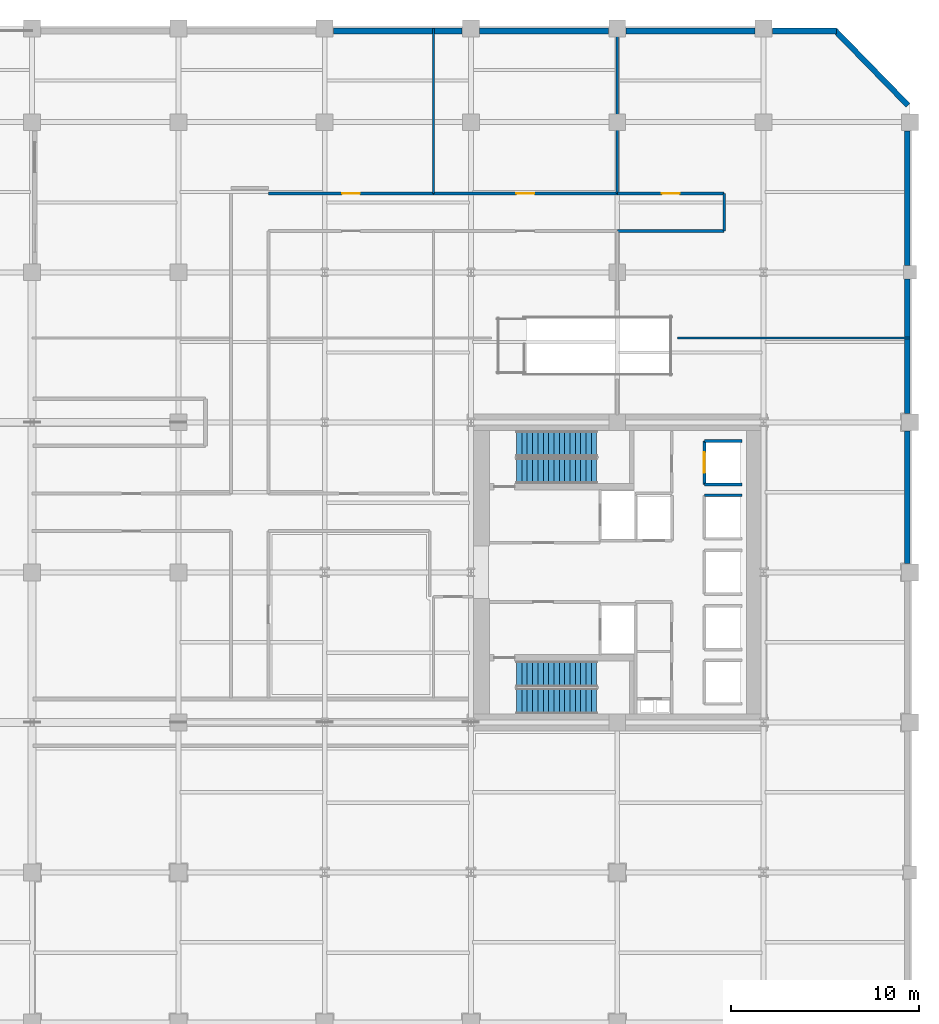
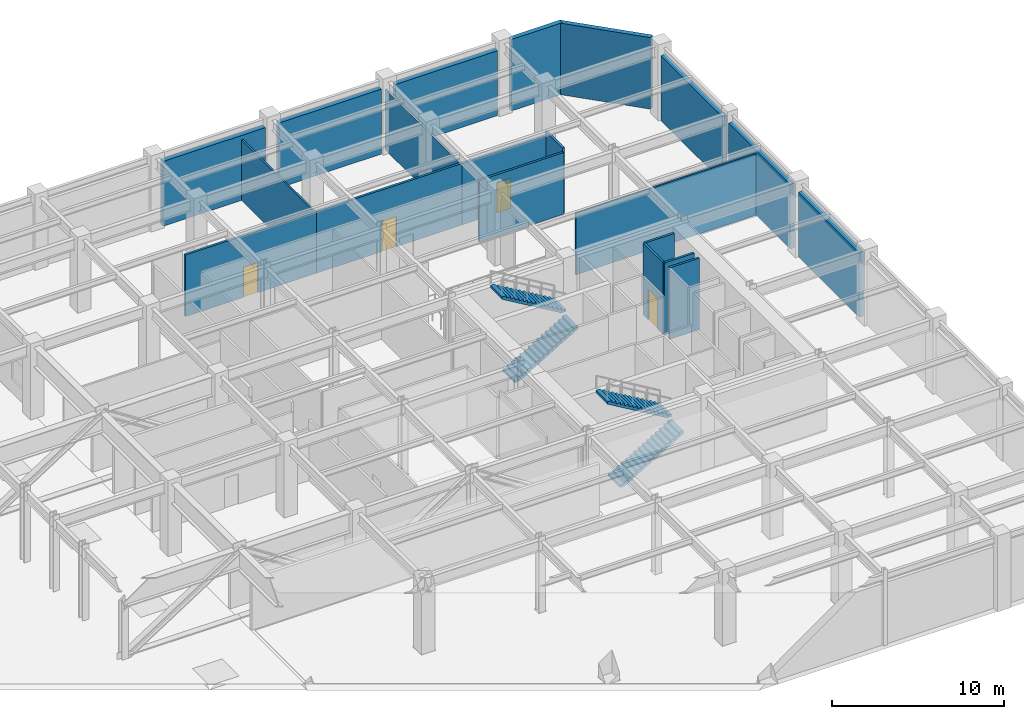
# One storey, part 10 of 14: 20 walls, 4 doors, 4 stair flights, 4 openings, 2 elements without a shape of their own.
"""IFC4 building model written with IfcOpenShell, lengths in metres."""

import ifcopenshell
import ifcopenshell.guid

model = None  # the IFC model being written
_history = None  # IfcOwnerHistory: only IFC2X3 demands one
_inside = {}  # id of a spatial element -> (the spatial element, [elements in it])
_under = {}  # id of a project, library or spatial element -> (it, [spatial elements below it])
_declared = {}  # id of a project -> (the project, [libraries it declares])
_typed = {}  # id of a type object -> (the type object, [elements of that type])
_made_of = {}  # id of a material, layer set ... -> (it, [elements and type objects made of it])


def new_model(schema):
    """Start an empty IFC model of exactly this schema.

    Asked for "IFC4X3", IfcOpenShell would pick the latest addendum, in which some entities
    have other attributes; the version numbers below select the first issue.
    IFC2X3 requires an IfcOwnerHistory on every rooted entity: one is made here for all.
    """
    global model, _history
    if schema == "IFC4X3":
        model = ifcopenshell.file(schema_version=(4, 3, 0, 0))
    else:
        model = ifcopenshell.file(schema=schema)
    _inside.clear()
    _under.clear()
    _declared.clear()
    _typed.clear()
    _made_of.clear()
    _history = None
    if model.schema == "IFC2X3":
        org = make("IfcOrganization", Name="unknown")
        user = make(
            "IfcPersonAndOrganization",
            ThePerson=make("IfcPerson", FamilyName="unknown"),
            TheOrganization=org,
        )
        app = make(
            "IfcApplication",
            ApplicationDeveloper=org,
            Version="unknown",
            ApplicationFullName="unknown",
            ApplicationIdentifier="unknown",
        )
        _history = make(
            "IfcOwnerHistory",
            OwningUser=user,
            OwningApplication=app,
            ChangeAction="ADDED",
            CreationDate=0,
        )
    return model


def make(cls, **values):
    """One entity of the class cls with the attributes given. An attribute that is None is left unset."""
    return model.create_entity(
        cls, **{name: value for name, value in values.items() if value is not None}
    )


def rooted(cls, **values):
    """An entity with a GlobalId (a new one), such as an element, a storey or a relation."""
    return make(cls, GlobalId=ifcopenshell.guid.new(), OwnerHistory=_history, **values)


def si_unit(unit_type, name, prefix=None):
    """IfcSIUnit, for example si_unit("LENGTHUNIT", "METRE", prefix="MILLI")."""
    return make("IfcSIUnit", UnitType=unit_type, Prefix=prefix, Name=name)


def assignment(units):
    """IfcUnitAssignment: the units of a project."""
    return None if units is None else make("IfcUnitAssignment", Units=units)


def point(xyz):
    """IfcCartesianPoint."""
    return None if xyz is None else make("IfcCartesianPoint", Coordinates=xyz)


def direction(xyz):
    """IfcDirection."""
    return None if xyz is None else make("IfcDirection", DirectionRatios=xyz)


def frame(location, z_axis=None, x_axis=None):
    """IfcAxis2Placement3D, a coordinate frame: its origin and axes. An axis left out is left unset."""
    return make(
        "IfcAxis2Placement3D",
        Location=point(location),
        Axis=direction(z_axis),
        RefDirection=direction(x_axis),
    )


def frame_2d(location, x_axis=None):
    """IfcAxis2Placement2D, a coordinate frame in the plane: its origin and x axis."""
    return make(
        "IfcAxis2Placement2D", Location=point(location), RefDirection=direction(x_axis)
    )


def origin():
    """The frame at (0, 0, 0) with its axes left unset."""
    return frame((0.0, 0.0, 0.0))


def place(relative_to, where):
    """IfcLocalPlacement: puts the frame where relative to a parent placement (None: the world)."""
    return make(
        "IfcLocalPlacement", PlacementRelTo=relative_to, RelativePlacement=where
    )


def context(
    kind, dimensions, precision=None, world=None, true_north=None, identifier=None
):
    """IfcGeometricRepresentationContext, for example the 3D "Model" context."""
    return make(
        "IfcGeometricRepresentationContext",
        ContextIdentifier=identifier,
        ContextType=kind,
        CoordinateSpaceDimension=dimensions,
        Precision=precision,
        WorldCoordinateSystem=world,
        TrueNorth=true_north,
    )


def subcontext(parent, identifier, kind, view, scale=None):
    """IfcGeometricRepresentationSubContext, for example "Body" below "Model"."""
    return make(
        "IfcGeometricRepresentationSubContext",
        ContextIdentifier=identifier,
        ContextType=kind,
        ParentContext=parent,
        TargetScale=scale,
        TargetView=view,
    )


def project(units=None, contexts=None):
    """IfcProject with its units and contexts."""
    return rooted(
        "IfcProject",
        Name="project",
        RepresentationContexts=contexts,
        UnitsInContext=assignment(units),
    )


def spatial(cls, under=None, at=None, **own):
    """A site, building, storey or space (cls), placed at a placement, below another one or the project."""
    s = rooted(cls, ObjectPlacement=at, **own)
    if under is not None:
        _under.setdefault(under.id(), (under, []))[1].append(s)
    return s


def polyline(points):
    """IfcPolyline through the points."""
    return make("IfcPolyline", Points=[point(p) for p in points])


def profile(cls, at=None, kind="AREA", **sizes):
    """A parametric profile (cls). Its sizes go by their IFC names, for example OverallWidth=200.0."""
    return make(cls, ProfileType=kind, Position=at, **sizes)


def rectangle(**sizes):
    """IfcRectangleProfileDef."""
    return profile("IfcRectangleProfileDef", **sizes)


def outline(outer, holes=None, kind="AREA"):
    """IfcArbitraryClosedProfileDef: a profile drawn as a closed curve; with holes, ...WithVoids."""
    if holes is None:
        return make("IfcArbitraryClosedProfileDef", ProfileType=kind, OuterCurve=outer)
    return make(
        "IfcArbitraryProfileDefWithVoids",
        ProfileType=kind,
        OuterCurve=outer,
        InnerCurves=holes,
    )


def extrude(swept, where, along, depth):
    """IfcExtrudedAreaSolid: the profile swept, set in the frame where, extruded along a direction by depth."""
    return make(
        "IfcExtrudedAreaSolid",
        SweptArea=swept,
        Position=where,
        ExtrudedDirection=direction(along),
        Depth=depth,
    )


def shape(context_of_items, identifier, shape_type, items):
    """IfcShapeRepresentation: the items that make up one representation, for example the "Body"."""
    return make(
        "IfcShapeRepresentation",
        ContextOfItems=context_of_items,
        RepresentationIdentifier=identifier,
        RepresentationType=shape_type,
        Items=items,
    )


def material(Name=None, Category=None):
    """IfcMaterial."""
    return make("IfcMaterial", Name=Name, Category=Category)


def layer(
    of_material, thickness, ventilated=None, Name=None, Category=None, Priority=None
):
    """IfcMaterialLayer: one layer of a wall or slab, of a material (None: an air gap)."""
    return make(
        "IfcMaterialLayer",
        Material=of_material,
        LayerThickness=thickness,
        IsVentilated=ventilated,
        Name=Name,
        Category=Category,
        Priority=Priority,
    )


def layer_set(layers, Name=None):
    """IfcMaterialLayerSet."""
    return make("IfcMaterialLayerSet", MaterialLayers=layers, LayerSetName=Name)


def made_of(thing, what):
    """Note that an element or type object is made of a material, layer set ...; save() writes the relation."""
    if what is not None:
        _made_of.setdefault(what.id(), (what, []))[1].append(thing)
    return thing


def type_object(cls, material=None, **own):
    """A type object (cls), such as IfcWallType, which elements share."""
    return made_of(rooted(cls, **own), material)


def element(
    cls,
    number,
    at=None,
    inside=None,
    cuts=None,
    type_object=None,
    material=None,
    context=None,
    identifier="Body",
    shape_type=None,
    held_by="IfcProductDefinitionShape",
    body=None,
    shapes=None,
    **own,
):
    """One element of the class cls, such as IfcWall. Its Tag is "e" and its number.

    at: its placement. inside: the storey or other place that contains it. cuts: it is an
    opening in that element (IfcRelVoidsElement). A single representation is given by context,
    identifier, shape_type and body (its items); several are given by shapes. held_by: the class
    of the entity that holds the representations. save() writes the other relations.
    """
    e = rooted(cls, Tag="e%d" % number, ObjectPlacement=at, **own)
    if body is not None:
        shapes = [shape(context, identifier, shape_type, body)]
    if shapes is not None:
        e.Representation = make(held_by, Representations=shapes)
    if inside is not None:
        _inside.setdefault(inside.id(), (inside, []))[1].append(e)
    if cuts is not None:
        rooted(
            "IfcRelVoidsElement", RelatingBuildingElement=cuts, RelatedOpeningElement=e
        )
    if type_object is not None:
        _typed.setdefault(type_object.id(), (type_object, []))[1].append(e)
    return made_of(e, material)


def fill(opening, filler):
    """IfcRelFillsElement: the door or window that sits in an opening."""
    return rooted(
        "IfcRelFillsElement",
        RelatingOpeningElement=opening,
        RelatedBuildingElement=filler,
    )


def aggregate(whole, parts):
    """IfcRelAggregates: a whole, such as a stair, and the parts it consists of."""
    return rooted("IfcRelAggregates", RelatingObject=whole, RelatedObjects=parts)


def save(model, path):
    """Write the relations noted so far, then the file.

    IfcRelAggregates (storeys below a building ...), IfcRelContainedInSpatialStructure (elements
    in a storey), IfcRelDefinesByType, IfcRelAssociatesMaterial and IfcRelDeclares: one each for
    every whole, place, type object, material and project.
    """
    for whole, parts in _under.values():
        aggregate(whole, parts)
    for where, things in _inside.values():
        rooted(
            "IfcRelContainedInSpatialStructure",
            RelatedElements=things,
            RelatingStructure=where,
        )
    for kind, things in _typed.values():
        rooted("IfcRelDefinesByType", RelatedObjects=things, RelatingType=kind)
    for what, things in _made_of.values():
        rooted("IfcRelAssociatesMaterial", RelatedObjects=things, RelatingMaterial=what)
    for by, libraries in _declared.values():
        rooted("IfcRelDeclares", RelatingContext=by, RelatedDefinitions=libraries)
    model.write(path)


model = new_model("IFC4")

# Units and contexts
model_context = context("Model", 3, precision=1e-05, world=origin(), true_north=direction((0.0, 1.0)))
body_context = subcontext(model_context, "Body", "Model", "MODEL_VIEW")
ifc_project = project(units=[si_unit("LENGTHUNIT", "METRE"), si_unit("AREAUNIT", "SQUARE_METRE"), si_unit("VOLUMEUNIT", "CUBIC_METRE"), si_unit("PLANEANGLEUNIT", "RADIAN"), si_unit("MASSUNIT", "GRAM", prefix="KILO")], contexts=[model_context])

# Site, building, storey
site_placement = place(None, origin())
site = spatial("IfcSite", under=ifc_project, at=site_placement, CompositionType="ELEMENT")
building_placement = place(site_placement, origin())
building = spatial("IfcBuilding", under=site, at=building_placement, Name="Veymaron Broadcast Tower", CompositionType="ELEMENT")
storey_placement = place(building_placement, frame((0.0, 0.0, 27.0)))
storey = spatial("IfcBuildingStorey", under=building, at=storey_placement, Name="L05", CompositionType="ELEMENT", Elevation=27.0)

# Walls
ifc_material_1 = material(Name="Precast concrete C40/50 with mineral-wool insulation", Category="concrete")
ifc_layer_1 = layer(ifc_material_1, 0.300048828125)
ifc_layer_set_1 = layer_set([ifc_layer_1], Name="Precast concrete C40/50 with mineral-wool insulation")
wall_type_1 = type_object("IfcWallType", Name="WALL-EXT-300", PredefinedType="STANDARD", material=ifc_layer_set_1)
wall_1_placement = place(storey_placement, frame((62.260009765625, 24.468017578125, 0.0), z_axis=(0.0, 0.0, 1.0), x_axis=(0.0, 1.0, 0.0)))
element("IfcWall", 1, at=wall_1_placement, inside=storey, type_object=wall_type_1, Name="L05 notched corner facade pier 3-5", PredefinedType="STANDARD", context=body_context, shape_type="SweptSolid", body=[
    extrude(rectangle(XDim=7.06396484375, YDim=0.300048828125, at=frame_2d((3.531982421875, 0.0))), origin(), (0.0, 0.0, 1.0), 4.60791015625),
])
for number, where, z_axis, x_axis, name in (
    (2, (62.260009765625, 32.468017578125, 0.0), (0.0, 0.0, 1.0), (0.0, 1.0, 0.0), "L05 notched corner facade pier 3-6"),
    (3, (62.260009765625, 40.367919921875, 0.0), (0.0, 0.0, 1.0), (0.0, 1.0, 0.0), "L05 notched corner facade pier 3-7"),
):
    element("IfcWall", number, at=place(storey_placement, frame(where, z_axis=z_axis, x_axis=x_axis)), inside=storey, type_object=wall_type_1, Name=name, PredefinedType="STANDARD", context=body_context, shape_type="SweptSolid", body=[
        extrude(rectangle(XDim=7.1640625, YDim=0.300048828125, at=frame_2d((3.58203125, 0.0))), origin(), (0.0, 0.0, 1.0), 4.60791015625),
    ])
wall_2_placement = place(storey_placement, frame((62.2998046875, 48.90234375, 0.0), z_axis=(0.0, 0.0, 1.0), x_axis=(-0.698091174493, 0.716008877106, 0.0)))
element("IfcWall", 4, at=wall_2_placement, inside=storey, type_object=wall_type_1, Name="L05 notched corner facade pier 4-1", PredefinedType="STANDARD", context=body_context, shape_type="SweptSolid", body=[
    extrude(rectangle(XDim=5.58642578125, YDim=0.300048828125, at=frame_2d((2.793212890625, 0.0))), origin(), (0.0, 0.0, 1.0), 5.080078125),
])
wall_3_placement = place(storey_placement, frame((58.5, 52.860107421875, 0.0), z_axis=(0.0, 0.0, 1.0), x_axis=(-1.0, 0.0, 0.0)))
element("IfcWall", 5, at=wall_3_placement, inside=storey, type_object=wall_type_1, Name="L05 notched corner facade pier 5-1", PredefinedType="STANDARD", context=body_context, shape_type="SweptSolid", body=[
    extrude(rectangle(XDim=3.431884765625, YDim=0.300048828125, at=frame_2d((1.7158203125, 0.0))), origin(), (0.0, 0.0, 1.0), 5.080078125),
])
for number, where, z_axis, x_axis, name in (
    (6, (54.132080078125, 52.860107421875, 0.0), (0.0, 0.0, 1.0), (-1.0, 0.0, 0.0), "L05 notched corner facade pier 5-2"),
    (7, (46.33203125, 52.860107421875, 0.0), (0.0, 0.0, 1.0), (-1.0, 0.0, 0.0), "L05 notched corner facade pier 5-3"),
    (8, (38.531982421875, 52.860107421875, 0.0), (0.0, 0.0, 1.0), (-1.0, 0.0, 0.0), "L05 notched corner facade pier 5-4"),
):
    element("IfcWall", number, at=place(storey_placement, frame(where, z_axis=z_axis, x_axis=x_axis)), inside=storey, type_object=wall_type_1, Name=name, PredefinedType="STANDARD", context=body_context, shape_type="SweptSolid", body=[
        extrude(rectangle(XDim=6.864013671875, YDim=0.300048828125, at=frame_2d((3.43212890625, 0.0))), origin(), (0.0, 0.0, 1.0), 4.60791015625),
    ])

# Wall, opening, door
ifc_material_2 = material(Name="Gypsum fireboard and steel stud framing", Category="steel")
ifc_layer_2 = layer(ifc_material_2, 0.14990234375)
ifc_layer_set_2 = layer_set([ifc_layer_2], Name="Gypsum fireboard and steel stud framing")
wall_type_2 = type_object("IfcWallType", Name="WALL-FIRE-150", PredefinedType="PARTITIONING", material=ifc_layer_set_2)
wall_4_placement = place(storey_placement, frame((51.445068359375, 28.68994140625, 0.0), z_axis=(0.0, 0.0, 1.0), x_axis=(0.0, 1.0, 0.0)))
wall_4 = element("IfcWall", 9, at=wall_4_placement, inside=storey, type_object=wall_type_2, Name="L05 partition IW-L05-SHW-PL1", PredefinedType="PARTITIONING", context=body_context, shape_type="SweptSolid", body=[
    extrude(rectangle(XDim=2.320068359375, YDim=0.14990234375, at=frame_2d((1.16015625, 0.0))), origin(), (0.0, 0.0, 1.0), 5.080078125),
])
opening_1_placement = place(wall_4_placement, frame((0.610107421875, 0.0, 0.0)))
opening_1 = element("IfcOpeningElement", 10, at=opening_1_placement, cuts=wall_4, Name="Opening LD", PredefinedType="OPENING", context=body_context, shape_type="SweptSolid", body=[
    extrude(rectangle(XDim=1.10009765625, YDim=2.14990234375, at=frame_2d((0.550048828125, 1.074951171875))), frame((0.0, 0.0849609375, 0.0), z_axis=(0.0, -1.0, 0.0), x_axis=(1.0, 0.0, 0.0)), (0.0, 0.0, 1.0), 0.169921875),
])
ifc_material_3 = material(Name="Brushed stainless steel AISI 304", Category="steel")
door_type_1 = type_object("IfcDoorType", Name="DOOR-LIFT-1100", OperationType="DOUBLE_DOOR_SLIDING", PredefinedType="DOOR", material=ifc_material_3)
door_1_placement = place(opening_1_placement, frame((1.10009765625, 0.0, 0.0), z_axis=(0.0, 0.0, 1.0), x_axis=(-1.0, 0.0, 0.0)))
door_1 = element("IfcDoor", 11, at=door_1_placement, inside=storey, type_object=door_type_1, Name="L05 door LD-L05-PL1", OperationType="DOUBLE_DOOR_SLIDING", OverallHeight=2.14990234375, OverallWidth=1.10009765625, PredefinedType="DOOR", context=body_context, shape_type="SweptSolid", body=[
    extrude(rectangle(XDim=1.10009765625, YDim=2.14990234375, at=frame_2d((0.550048828125, 1.074951171875))), frame((0.0, 0.02490234375, 0.0), z_axis=(0.0, -1.0, 0.0), x_axis=(1.0, 0.0, 0.0)), (0.0, 0.0, 1.0), 0.050048828125),
])
fill(opening_1, door_1)

# Walls
for number, where, z_axis, x_axis, name in (
    (12, (51.445068359375, 28.68994140625, 0.0), (0.0, 0.0, 1.0), (1.0, 0.0, 0.0), "L05 partition IW-L05-SHS-PL1"),
    (13, (51.445068359375, 31.010009765625, 0.0), (0.0, 0.0, 1.0), (1.0, 0.0, 0.0), "L05 partition IW-L05-SHN-PL1"),
    (14, (51.445068359375, 28.110107421875, 0.0), (0.0, 0.0, 1.0), (1.0, 0.0, 0.0), "L05 partition IW-L05-SHN-PM1"),
):
    element("IfcWall", number, at=place(storey_placement, frame(where, z_axis=z_axis, x_axis=x_axis)), inside=storey, type_object=wall_type_2, Name=name, PredefinedType="PARTITIONING", context=body_context, shape_type="SweptSolid", body=[
        extrude(rectangle(XDim=2.014892578125, YDim=0.14990234375, at=frame_2d((1.00732421875, 0.0))), origin(), (0.0, 0.0, 1.0), 5.080078125),
    ])

# Wall, opening, door
wall_5_placement = place(storey_placement, frame((46.800048828125, 44.199951171875, 0.0), z_axis=(0.0, 0.0, 1.0), x_axis=(1.0, 0.0, 0.0)))
wall_5 = element("IfcWall", 15, at=wall_5_placement, inside=storey, type_object=wall_type_2, Name="L05 partition IW-L05-P15", PredefinedType="PARTITIONING", context=body_context, shape_type="SweptSolid", body=[
    extrude(rectangle(XDim=5.699951171875, YDim=0.14990234375, at=frame_2d((2.85009765625, 0.0))), origin(), (0.0, 0.0, 1.0), 4.375),
])
opening_2_placement = place(wall_5_placement, frame((2.375, 0.0, 0.0)))
opening_2 = element("IfcOpeningElement", 16, at=opening_2_placement, cuts=wall_5, Name="Opening ID-RM1", PredefinedType="OPENING", context=body_context, shape_type="SweptSolid", body=[
    extrude(rectangle(XDim=0.949951171875, YDim=2.14990234375, at=frame_2d((0.47509765625, 1.074951171875))), frame((0.0, 0.0849609375, 0.0), z_axis=(0.0, -1.0, 0.0), x_axis=(1.0, 0.0, 0.0)), (0.0, 0.0, 1.0), 0.169921875),
])
ifc_material_4 = material(Name="Acoustic solid-core European oak veneer timber", Category="wood")
door_type_2 = type_object("IfcDoorType", Name="DOOR-INT-950", OperationType="NOTDEFINED", PredefinedType="DOOR", material=ifc_material_4)
door_2_placement = place(opening_2_placement, origin())
door_2 = element("IfcDoor", 17, at=door_2_placement, inside=storey, type_object=door_type_2, Name="L05 door DR-L05-P15", OperationType="SINGLE_SWING_RIGHT", OverallHeight=2.14990234375, OverallWidth=0.949951171875, PredefinedType="DOOR", context=body_context, shape_type="SweptSolid", body=[
    extrude(rectangle(XDim=0.949951171875, YDim=2.14990234375, at=frame_2d((0.47509765625, 1.074951171875))), frame((0.0, 0.02490234375, 0.0), z_axis=(0.0, -1.0, 0.0), x_axis=(1.0, 0.0, 0.0)), (0.0, 0.0, 1.0), 0.050048828125),
])
fill(opening_2, door_2)

wall_6_placement = place(storey_placement, frame((28.199951171875, 44.199951171875, 0.0), z_axis=(0.0, 0.0, 1.0), x_axis=(1.0, 0.0, 0.0)))
wall_6 = element("IfcWall", 18, at=wall_6_placement, inside=storey, type_object=wall_type_2, Name="L05 partition IW-L05-P18", PredefinedType="PARTITIONING", context=body_context, shape_type="SweptSolid", body=[
    extrude(rectangle(XDim=8.800048828125, YDim=0.14990234375, at=frame_2d((4.39990234375, 0.0))), origin(), (0.0, 0.0, 1.0), 4.375),
])
opening_3_placement = place(wall_6_placement, frame((3.925048828125, 0.0, 0.0)))
opening_3 = element("IfcOpeningElement", 19, at=opening_3_placement, cuts=wall_6, Name="Opening ID-RM1", PredefinedType="OPENING", context=body_context, shape_type="SweptSolid", body=[
    extrude(rectangle(XDim=0.949951171875, YDim=2.14990234375, at=frame_2d((0.47509765625, 1.074951171875))), frame((0.0, 0.0849609375, 0.0), z_axis=(0.0, -1.0, 0.0), x_axis=(1.0, 0.0, 0.0)), (0.0, 0.0, 1.0), 0.169921875),
])
door_3_placement = place(opening_3_placement, origin())
door_3 = element("IfcDoor", 20, at=door_3_placement, inside=storey, type_object=door_type_2, Name="L05 door DR-L05-P18", OperationType="SINGLE_SWING_LEFT", OverallHeight=2.14990234375, OverallWidth=0.949951171875, PredefinedType="DOOR", context=body_context, shape_type="SweptSolid", body=[
    extrude(rectangle(XDim=0.949951171875, YDim=2.14990234375, at=frame_2d((0.47509765625, 1.074951171875))), frame((0.0, 0.02490234375, 0.0), z_axis=(0.0, -1.0, 0.0), x_axis=(1.0, 0.0, 0.0)), (0.0, 0.0, 1.0), 0.050048828125),
])
fill(opening_3, door_3)

wall_7_placement = place(storey_placement, frame((37.0, 44.199951171875, 0.0), z_axis=(0.0, 0.0, 1.0), x_axis=(1.0, 0.0, 0.0)))
wall_7 = element("IfcWall", 21, at=wall_7_placement, inside=storey, type_object=wall_type_2, Name="L05 partition IW-L05-P21", PredefinedType="PARTITIONING", context=body_context, shape_type="SweptSolid", body=[
    extrude(rectangle(XDim=9.800048828125, YDim=0.14990234375, at=frame_2d((4.89990234375, 0.0))), origin(), (0.0, 0.0, 1.0), 4.375),
])
opening_4_placement = place(wall_7_placement, frame((4.425048828125, 0.0, 0.0)))
opening_4 = element("IfcOpeningElement", 22, at=opening_4_placement, cuts=wall_7, Name="Opening ID-RM1", PredefinedType="OPENING", context=body_context, shape_type="SweptSolid", body=[
    extrude(rectangle(XDim=0.949951171875, YDim=2.14990234375, at=frame_2d((0.47509765625, 1.074951171875))), frame((0.0, 0.0849609375, 0.0), z_axis=(0.0, -1.0, 0.0), x_axis=(1.0, 0.0, 0.0)), (0.0, 0.0, 1.0), 0.169921875),
])
door_4_placement = place(opening_4_placement, origin())
door_4 = element("IfcDoor", 23, at=door_4_placement, inside=storey, type_object=door_type_2, Name="L05 door DR-L05-P21", OperationType="SINGLE_SWING_RIGHT", OverallHeight=2.14990234375, OverallWidth=0.949951171875, PredefinedType="DOOR", context=body_context, shape_type="SweptSolid", body=[
    extrude(rectangle(XDim=0.949951171875, YDim=2.14990234375, at=frame_2d((0.47509765625, 1.074951171875))), frame((0.0, 0.02490234375, 0.0), z_axis=(0.0, -1.0, 0.0), x_axis=(1.0, 0.0, 0.0)), (0.0, 0.0, 1.0), 0.050048828125),
])
fill(opening_4, door_4)

# Walls
wall_8_placement = place(storey_placement, frame((46.800048828125, 42.199951171875, 0.0), z_axis=(0.0, 0.0, 1.0), x_axis=(1.0, 0.0, 0.0)))
element("IfcWall", 24, at=wall_8_placement, inside=storey, type_object=wall_type_2, Name="L05 partition IW-L05-P16", PredefinedType="PARTITIONING", context=body_context, shape_type="SweptSolid", body=[
    extrude(rectangle(XDim=5.699951171875, YDim=0.14990234375, at=frame_2d((2.85009765625, 0.0))), origin(), (0.0, 0.0, 1.0), 4.375),
])
wall_9_placement = place(storey_placement, frame((52.5, 42.199951171875, 0.0), z_axis=(0.0, 0.0, 1.0), x_axis=(0.0, 1.0, 0.0)))
element("IfcWall", 25, at=wall_9_placement, inside=storey, type_object=wall_type_2, Name="L05 partition IW-L05-P17", PredefinedType="PARTITIONING", context=body_context, shape_type="SweptSolid", body=[
    extrude(rectangle(XDim=2.0, YDim=0.14990234375, at=frame_2d((1.0, 0.0))), origin(), (0.0, 0.0, 1.0), 4.660888671875),
])
ifc_material_5 = material(Name="Acoustic gypsum board and galvanized stud", Category="gypsum")
ifc_layer_3 = layer(ifc_material_5, 0.1201171875)
ifc_layer_set_3 = layer_set([ifc_layer_3], Name="Acoustic gypsum board and galvanized stud")
wall_type_3 = type_object("IfcWallType", Name="WALL-PART-120", PredefinedType="PARTITIONING", material=ifc_layer_set_3)
wall_10_placement = place(storey_placement, frame((50.0, 36.5, 0.0), z_axis=(0.0, 0.0, 1.0), x_axis=(1.0, 0.0, 0.0)))
element("IfcWall", 26, at=wall_10_placement, inside=storey, type_object=wall_type_3, Name="L05 partition IW-L05-P24", PredefinedType="PARTITIONING", context=body_context, shape_type="SweptSolid", body=[
    extrude(rectangle(XDim=12.39990234375, YDim=0.1201171875, at=frame_2d((6.199951171875, 0.0))), origin(), (0.0, 0.0, 1.0), 4.375),
])
for number, where, z_axis, x_axis, name in (
    (27, (46.800048828125, 44.199951171875, 0.0), (0.0, 0.0, 1.0), (0.0, 1.0, 0.0), "L05 partition IW-L05-P31"),
    (28, (37.0, 44.199951171875, 0.0), (0.0, 0.0, 1.0), (0.0, 1.0, 0.0), "L05 partition IW-L05-P32"),
):
    element("IfcWall", number, at=place(storey_placement, frame(where, z_axis=z_axis, x_axis=x_axis)), inside=storey, type_object=wall_type_3, Name=name, PredefinedType="PARTITIONING", context=body_context, shape_type="SweptSolid", body=[
        extrude(rectangle(XDim=8.800048828125, YDim=0.1201171875, at=frame_2d((4.39990234375, 0.0))), origin(), (0.0, 0.0, 1.0), 4.298095703125),
    ])

# Stair, stair flights
ifc_material_6 = material(Name="Concrete C50/60", Category="concrete")
stair_type_1 = type_object("IfcStairType", Name="STAIR-CORE-1", PredefinedType="HALF_TURN_STAIR", material=ifc_material_6)
stair_1_placement = place(storey_placement, origin())
stair_1 = element("IfcStair", 29, at=stair_1_placement, inside=storey, type_object=stair_type_1, Name="L05 North protected dog-leg exit stair ST1", PredefinedType="HALF_TURN_STAIR")
ifc_material_7 = material(Name="Precast concrete C50/60", Category="concrete")
stair_flight_type = type_object("IfcStairFlightType", Name="FLT-CORE-RC", PredefinedType="STRAIGHT", material=ifc_material_7)
stair_flight_1_placement = place(storey_placement, frame((41.429931640625, 29.419921875, 0.0), z_axis=(0.0, 0.0, 1.0), x_axis=(1.0, 0.0, 0.0)))
stair_flight_1 = element("IfcStairFlight", 30, at=stair_flight_1_placement, type_object=stair_flight_type, Name="ST1 flight 1", NumberOfRisers=16, NumberOfTreads=15, PredefinedType="STRAIGHT", RiserHeight=0.16875, TreadLength=0.285, context=body_context, shape_type="SweptSolid", body=[
    extrude(outline(polyline([(0.0, 0.0), (0.0, 0.168701171875), (0.284912109375, 0.168701171875), (0.284912109375, 0.33740234375), (0.570068359375, 0.33740234375), (0.570068359375, 0.50634765625), (0.85498046875, 0.50634765625), (0.85498046875, 0.675048828125), (1.139892578125, 0.675048828125), (1.139892578125, 0.84375), (1.425048828125, 0.84375), (1.425048828125, 1.012451171875), (1.7099609375, 1.012451171875), (1.7099609375, 1.18115234375), (1.9951171875, 1.18115234375), (1.9951171875, 1.35009765625), (2.280029296875, 1.35009765625), (2.280029296875, 1.518798828125), (2.56494140625, 1.518798828125), (2.56494140625, 1.6875), (2.85009765625, 1.6875), (2.85009765625, 1.856201171875), (3.135009765625, 1.856201171875), (3.135009765625, 2.02490234375), (3.419921875, 2.02490234375), (3.419921875, 2.19384765625), (3.705078125, 2.19384765625), (3.705078125, 2.362548828125), (3.989990234375, 2.362548828125), (3.989990234375, 2.53125), (4.27490234375, 2.53125), (4.27490234375, 2.699951171875), (4.27490234375, 2.35693359375), (0.294189453125, 0.0), (0.0, 0.0)])), frame((0.0, 0.68994140625, 0.0), z_axis=(0.0, -1.0, 0.0), x_axis=(1.0, 0.0, 0.0)), (0.0, 0.0, 1.0), 1.3798828125),
])
stair_flight_2_placement = place(storey_placement, frame((45.705078125, 30.860107421875, 2.699951171875), z_axis=(0.0, 0.0, 1.0), x_axis=(-1.0, 0.0, 0.0)))
stair_flight_2 = element("IfcStairFlight", 31, at=stair_flight_2_placement, type_object=stair_flight_type, Name="ST1 flight 2", NumberOfRisers=16, NumberOfTreads=15, PredefinedType="STRAIGHT", RiserHeight=0.16875, TreadLength=0.285, context=body_context, shape_type="SweptSolid", body=[
    extrude(outline(polyline([(0.0, 0.0), (0.0, 0.168701171875), (0.284912109375, 0.168701171875), (0.284912109375, 0.33740234375), (0.570068359375, 0.33740234375), (0.570068359375, 0.50634765625), (0.85498046875, 0.50634765625), (0.85498046875, 0.675048828125), (1.139892578125, 0.675048828125), (1.139892578125, 0.84375), (1.425048828125, 0.84375), (1.425048828125, 1.012451171875), (1.7099609375, 1.012451171875), (1.7099609375, 1.18115234375), (1.9951171875, 1.18115234375), (1.9951171875, 1.35009765625), (2.280029296875, 1.35009765625), (2.280029296875, 1.518798828125), (2.56494140625, 1.518798828125), (2.56494140625, 1.6875), (2.85009765625, 1.6875), (2.85009765625, 1.856201171875), (3.135009765625, 1.856201171875), (3.135009765625, 2.02490234375), (3.419921875, 2.02490234375), (3.419921875, 2.19384765625), (3.705078125, 2.19384765625), (3.705078125, 2.362548828125), (3.989990234375, 2.362548828125), (3.989990234375, 2.53125), (4.27490234375, 2.53125), (4.27490234375, 2.699951171875), (4.27490234375, 2.35693359375), (0.294189453125, 0.0), (0.0, 0.0)])), frame((0.0, 0.68994140625, 0.0), z_axis=(0.0, -1.0, 0.0), x_axis=(1.0, 0.0, 0.0)), (0.0, 0.0, 1.0), 1.3798828125),
])
aggregate(stair_1, [stair_flight_1, stair_flight_2])

stair_type_2 = type_object("IfcStairType", Name="STAIR-CORE-2", PredefinedType="HALF_TURN_STAIR", material=ifc_material_6)
stair_2_placement = place(storey_placement, origin())
stair_2 = element("IfcStair", 32, at=stair_2_placement, inside=storey, type_object=stair_type_2, Name="L05 South protected dog-leg exit stair ST2", PredefinedType="HALF_TURN_STAIR")
stair_flight_3_placement = place(storey_placement, frame((41.429931640625, 17.139892578125, 0.0), z_axis=(0.0, 0.0, 1.0), x_axis=(1.0, 0.0, 0.0)))
stair_flight_3 = element("IfcStairFlight", 33, at=stair_flight_3_placement, type_object=stair_flight_type, Name="ST2 flight 1", NumberOfRisers=16, NumberOfTreads=15, PredefinedType="STRAIGHT", RiserHeight=0.16875, TreadLength=0.285, context=body_context, shape_type="SweptSolid", body=[
    extrude(outline(polyline([(0.0, 0.0), (0.0, 0.168701171875), (0.284912109375, 0.168701171875), (0.284912109375, 0.33740234375), (0.570068359375, 0.33740234375), (0.570068359375, 0.50634765625), (0.85498046875, 0.50634765625), (0.85498046875, 0.675048828125), (1.139892578125, 0.675048828125), (1.139892578125, 0.84375), (1.425048828125, 0.84375), (1.425048828125, 1.012451171875), (1.7099609375, 1.012451171875), (1.7099609375, 1.18115234375), (1.9951171875, 1.18115234375), (1.9951171875, 1.35009765625), (2.280029296875, 1.35009765625), (2.280029296875, 1.518798828125), (2.56494140625, 1.518798828125), (2.56494140625, 1.6875), (2.85009765625, 1.6875), (2.85009765625, 1.856201171875), (3.135009765625, 1.856201171875), (3.135009765625, 2.02490234375), (3.419921875, 2.02490234375), (3.419921875, 2.19384765625), (3.705078125, 2.19384765625), (3.705078125, 2.362548828125), (3.989990234375, 2.362548828125), (3.989990234375, 2.53125), (4.27490234375, 2.53125), (4.27490234375, 2.699951171875), (4.27490234375, 2.35693359375), (0.294189453125, 0.0), (0.0, 0.0)])), frame((0.0, 0.68994140625, 0.0), z_axis=(0.0, -1.0, 0.0), x_axis=(1.0, 0.0, 0.0)), (0.0, 0.0, 1.0), 1.3798828125),
])
stair_flight_4_placement = place(storey_placement, frame((45.705078125, 18.580078125, 2.699951171875), z_axis=(0.0, 0.0, 1.0), x_axis=(-1.0, 0.0, 0.0)))
stair_flight_4 = element("IfcStairFlight", 34, at=stair_flight_4_placement, type_object=stair_flight_type, Name="ST2 flight 2", NumberOfRisers=16, NumberOfTreads=15, PredefinedType="STRAIGHT", RiserHeight=0.16875, TreadLength=0.285, context=body_context, shape_type="SweptSolid", body=[
    extrude(outline(polyline([(0.0, 0.0), (0.0, 0.168701171875), (0.284912109375, 0.168701171875), (0.284912109375, 0.33740234375), (0.570068359375, 0.33740234375), (0.570068359375, 0.50634765625), (0.85498046875, 0.50634765625), (0.85498046875, 0.675048828125), (1.139892578125, 0.675048828125), (1.139892578125, 0.84375), (1.425048828125, 0.84375), (1.425048828125, 1.012451171875), (1.7099609375, 1.012451171875), (1.7099609375, 1.18115234375), (1.9951171875, 1.18115234375), (1.9951171875, 1.35009765625), (2.280029296875, 1.35009765625), (2.280029296875, 1.518798828125), (2.56494140625, 1.518798828125), (2.56494140625, 1.6875), (2.85009765625, 1.6875), (2.85009765625, 1.856201171875), (3.135009765625, 1.856201171875), (3.135009765625, 2.02490234375), (3.419921875, 2.02490234375), (3.419921875, 2.19384765625), (3.705078125, 2.19384765625), (3.705078125, 2.362548828125), (3.989990234375, 2.362548828125), (3.989990234375, 2.53125), (4.27490234375, 2.53125), (4.27490234375, 2.699951171875), (4.27490234375, 2.35693359375), (0.294189453125, 0.0), (0.0, 0.0)])), frame((0.0, 0.68994140625, 0.0), z_axis=(0.0, -1.0, 0.0), x_axis=(1.0, 0.0, 0.0)), (0.0, 0.0, 1.0), 1.3798828125),
])
aggregate(stair_2, [stair_flight_3, stair_flight_4])

save(model, "model.ifc")
